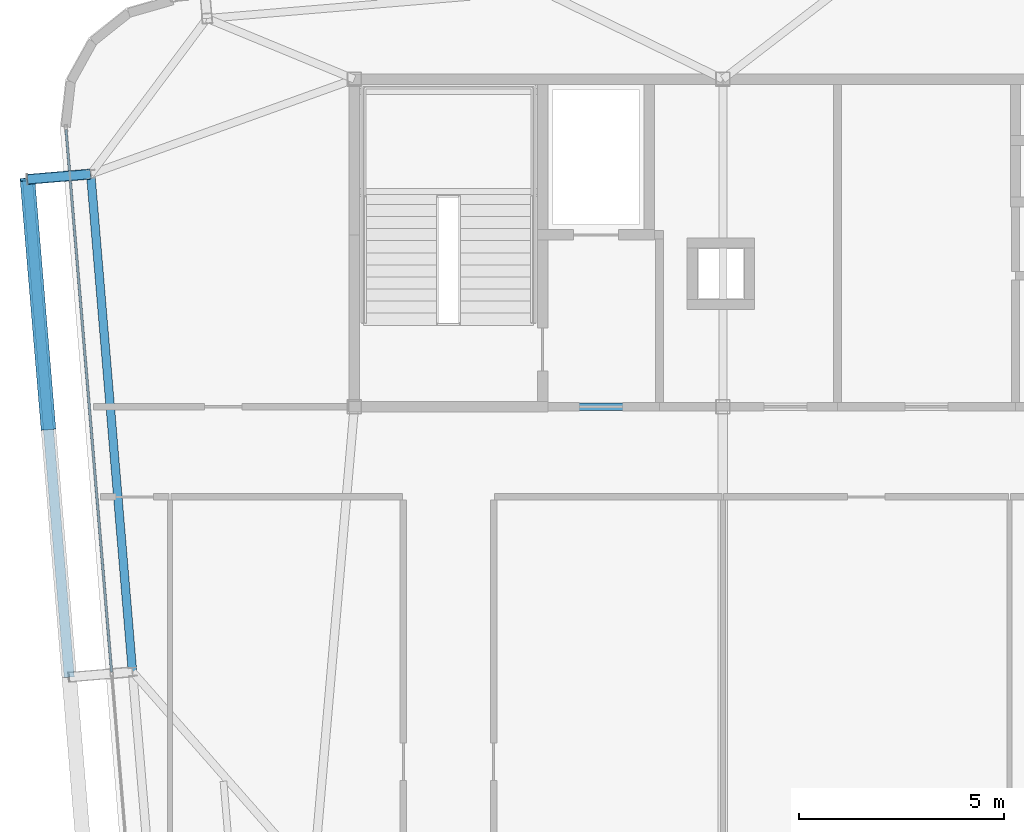
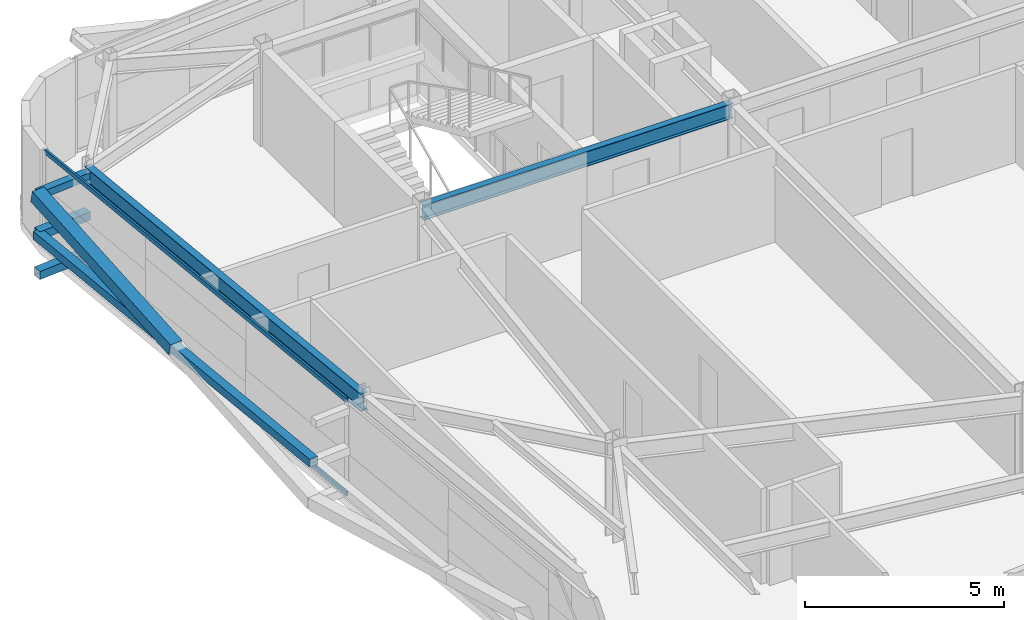
# One storey, part 13 of 39: 7 members, 2 beams, 1 element without a shape of its own.
"""IFC4 building model written with IfcOpenShell, lengths in metres."""

from ifc_helpers import new_model, si_unit, direction, frame, origin, origin_2d, place, context, subcontext, project, spatial, hollow_rectangle, i_section, extrude, source, transform, mapped, material, layer, layer_set, material_profile, profile_set, type_object, element, aggregate, save


model = new_model("IFC4")

# Units and contexts
model_context = context("Model", 3, precision=1e-05, world=origin(), true_north=direction((0.0, 1.0)))
body_context = subcontext(model_context, "Body", "Model", "MODEL_VIEW")
ifc_project = project(units=[si_unit("LENGTHUNIT", "METRE"), si_unit("AREAUNIT", "SQUARE_METRE"), si_unit("VOLUMEUNIT", "CUBIC_METRE"), si_unit("PLANEANGLEUNIT", "RADIAN"), si_unit("MASSUNIT", "GRAM", prefix="KILO")], contexts=[model_context])

# Site, building, storey
site_placement = place(None, origin())
site = spatial("IfcSite", under=ifc_project, at=site_placement, CompositionType="ELEMENT")
building_placement = place(site_placement, origin())
building = spatial("IfcBuilding", under=site, at=building_placement, Name="Taldren Reach Tower", CompositionType="ELEMENT")
storey_placement = place(building_placement, frame((0.0, 0.0, 175.699951171875)))
storey = spatial("IfcBuildingStorey", under=building, at=storey_placement, Name="L53", CompositionType="ELEMENT", Elevation=175.699951171875)

# Beams
ifc_material_1 = material(Name="Steel Gr 350 (350PLUS)", Category="steel")
ifc_material_profile_1 = material_profile(ifc_material_1, i_section(OverallWidth=0.19091796875, OverallDepth=0.4599609375, WebThickness=0.010009765625, FlangeThickness=0.01611328125, at=origin_2d()), Name="460UB82.1")
ifc_profile_set_1 = profile_set([ifc_material_profile_1], Name="Steel Gr 350 (350PLUS)")
beam_type_1 = type_object("IfcBeamType", Name="BM-UB460A", PredefinedType="BEAM", material=ifc_profile_set_1)
shared_shape_1 = source(origin(), body_context, "Body", "SweptSolid", [
    extrude(i_section(OverallWidth=0.19091796875, OverallDepth=0.4599609375, WebThickness=0.010009765625, FlangeThickness=0.01611328125, at=origin_2d()), origin(), (0.0, 0.0, 1.0), 9.0),
])
beam_1_placement = place(storey_placement, frame((19.0, 24.0, 2.699951171875), z_axis=(1.0, 0.0, 0.0), x_axis=(0.0, 1.0, 0.0)))
element("IfcBeam", 1, at=beam_1_placement, inside=storey, type_object=beam_type_1, Name="Core-spine girder L53-SP01", PredefinedType="BEAM", context=body_context, shape_type="MappedRepresentation", body=[
    mapped(shared_shape_1, transform((0.0, 0.0, 0.0), scale=1.0)),
])
ifc_material_profile_2 = material_profile(ifc_material_1, i_section(OverallWidth=0.208984375, OverallDepth=0.528076171875, WebThickness=0.009521484375, FlangeThickness=0.01318359375, at=origin_2d()), Name="530UB82.0")
ifc_profile_set_2 = profile_set([ifc_material_profile_2], Name="Steel Gr 350 (350PLUS)")
beam_type_2 = type_object("IfcBeamType", Name="SP-UB530B", PredefinedType="SPANDREL", material=ifc_profile_set_2)
shared_shape_2 = source(origin(), body_context, "Body", "SweptSolid", [
    extrude(i_section(OverallWidth=0.208984375, OverallDepth=0.528076171875, WebThickness=0.009521484375, FlangeThickness=0.01318359375, at=origin_2d()), origin(), (0.0, 0.0, 1.0), 12.199951171875),
])
beam_2_placement = place(storey_placement, frame((12.56201171875, 29.682373046875, 2.666015625), z_axis=(0.083668166953, -0.99649367175, 0.0), x_axis=(0.99649367175, 0.083668166953, 0.0)))
element("IfcBeam", 2, at=beam_2_placement, inside=storey, type_object=beam_type_2, Name="Perimeter spandrel B4 W3-W2 L53", PredefinedType="SPANDREL", context=body_context, shape_type="MappedRepresentation", body=[
    mapped(shared_shape_2, transform((0.0, 0.0, 0.0), scale=1.0)),
])

# Members
ifc_material_2 = material(Name="Steel Gr 450 (C450L0)", Category="steel")
ifc_material_profile_3 = material_profile(ifc_material_2, hollow_rectangle(XDim=0.219970703125, YDim=0.219970703125, WallThickness=0.00830078125, at=origin_2d()), Name="220x220x8.2SHS")
ifc_profile_set_3 = profile_set([ifc_material_profile_3], Name="Steel Gr 450 (C450L0)")
member_type_1 = type_object("IfcMemberType", Name="MB-TIE219", PredefinedType="STRUT", material=ifc_profile_set_3)
shared_shape_3 = source(origin(), body_context, "Body", "SweptSolid", [
    extrude(hollow_rectangle(XDim=0.219970703125, YDim=0.219970703125, WallThickness=0.00830078125, at=origin_2d()), origin(), (0.0, 0.0, 1.0), 1.54541015625),
])
member_1_placement = place(storey_placement, frame((12.557373046875, 29.68212890625, 2.650146484375), z_axis=(-0.99648887425, -0.083725285883, 0.0), x_axis=(0.083725285883, -0.99648887425, 0.0)))
element("IfcMember", 3, at=member_1_placement, inside=storey, type_object=member_type_1, Name="Exoskeleton diaphragm tie strut B4-W3 L53", PredefinedType="STRUT", context=body_context, shape_type="MappedRepresentation", body=[
    mapped(shared_shape_3, transform((0.0, 0.0, 0.0), scale=1.0)),
])
ifc_material_3 = material(Name="Steel Gr 350 (C350L0)", Category="steel")
ifc_material_profile_4 = material_profile(ifc_material_3, hollow_rectangle(XDim=0.25, YDim=0.25, WallThickness=0.010009765625, at=origin_2d()), Name="250x250x10.0SHS")
ifc_profile_set_4 = profile_set([ifc_material_profile_4], Name="Steel Gr 350 (C350L0)")
member_type_2 = type_object("IfcMemberType", Name="MB-POST250", PredefinedType="POST", material=ifc_profile_set_4)
shared_shape_4 = source(origin(), body_context, "Body", "SweptSolid", [
    extrude(hollow_rectangle(XDim=0.25, YDim=0.25, WallThickness=0.010009765625, at=origin_2d()), origin(), (0.0, 0.0, 1.0), 12.199951171875),
])
member_2_placement = place(storey_placement, frame((12.0380859375, 17.3955078125, 1.43505859375), z_axis=(-0.083668166953, 0.99649367175, 0.0), x_axis=(-0.99649367175, -0.083668166953, 0.0)))
element("IfcMember", 4, at=member_2_placement, inside=storey, type_object=member_type_2, Name="Exoskeleton mid-height ring chord B4-W2 L53", PredefinedType="POST", context=body_context, shape_type="MappedRepresentation", body=[
    mapped(shared_shape_4, transform((0.0, 0.0, 0.0), scale=1.0)),
])
shared_shape_5 = source(origin(), body_context, "Body", "SweptSolid", [
    extrude(hollow_rectangle(XDim=0.25, YDim=0.25, WallThickness=0.010009765625, at=origin_2d()), origin(), (0.0, 0.0, 1.0), 1.54541015625),
])
for number, where, z_axis, x_axis, name in (
    (5, (12.557373046875, 29.68212890625, 0.219970703125), (-0.99648887425, -0.083725285883, 0.0), (0.083725285883, -0.99648887425, 0.0), "Exoskeleton base diaphragm tie strut B4-W3 L53"),
    (6, (12.557373046875, 29.68212890625, 1.43505859375), (-0.99648887425, -0.083725285883, 0.0), (0.083725285883, -0.99648887425, 0.0), "Exoskeleton mid-tier diaphragm tie B4-W3 L53"),
):
    element("IfcMember", number, at=place(storey_placement, frame(where, z_axis=z_axis, x_axis=x_axis)), inside=storey, type_object=member_type_2, Name=name, PredefinedType="POST", context=body_context, shape_type="MappedRepresentation", body=[
        mapped(shared_shape_5, transform((0.0, 0.0, 0.0), scale=1.0)),
    ])
ifc_material_profile_5 = material_profile(ifc_material_2, hollow_rectangle(XDim=0.360107421875, YDim=0.360107421875, WallThickness=0.0126953125, at=origin_2d()), Name="360x360x12.7SHS")
ifc_profile_set_5 = profile_set([ifc_material_profile_5], Name="Steel Gr 450 (C450L0)")
member_type_3 = type_object("IfcMemberType", Name="MB-EXO356", PredefinedType="BRACE", material=ifc_profile_set_5)
shared_shape_6 = source(origin(), body_context, "Body", "SweptSolid", [
    extrude(hollow_rectangle(XDim=0.360107421875, YDim=0.360107421875, WallThickness=0.0126953125, at=origin_2d()), origin(), (0.0, 0.0, 1.0), 6.219970703125),
])
member_3_placement = place(storey_placement, frame((11.52783203125, 23.47412109375, 1.43505859375), z_axis=(-0.082075564879, 0.977291924611, 0.195356330179), x_axis=(-0.996492003099, -0.083688038336, 0.0)))
element("IfcMember", 7, at=member_3_placement, inside=storey, type_object=member_type_3, Name="Exoskeleton Diagrid Brace B4-W2 L53", PredefinedType="BRACE", context=body_context, shape_type="MappedRepresentation", body=[
    mapped(shared_shape_6, transform((0.0, 0.0, 0.0), scale=1.0)),
])

# Curtain wall, members
ifc_material_4 = material(Name="Aluminium and Low-E Glass Unitised System", Category="aluminium")
ifc_layer = layer(ifc_material_4, 0.159912109375)
ifc_layer_set = layer_set([ifc_layer], Name="Aluminium and Low-E Glass Unitised System")
curtain_wall_type = type_object("IfcCurtainWallType", Name="CW-SYS-5", PredefinedType="NOTDEFINED", material=ifc_layer_set)
curtain_wall_placement = place(storey_placement, origin())
curtain_wall = element("IfcCurtainWall", 8, at=curtain_wall_placement, inside=storey, type_object=curtain_wall_type, Name="Unitised curtain wall CW-L53-W", PredefinedType="NOTDEFINED")
ifc_material_5 = material(Name="Anodised Aluminium 6063-T6", Category="aluminium")
ifc_material_profile_6 = material_profile(ifc_material_5, hollow_rectangle(XDim=0.06005859375, YDim=0.135009765625, WallThickness=0.00341796875, at=origin_2d()), Name="ALU-135x60x3.5RHS")
ifc_profile_set_6 = profile_set([ifc_material_profile_6], Name="Anodised Aluminium 6063-T6")
member_type_4 = type_object("IfcMemberType", Name="CW-TRN-150", PredefinedType="USERDEFINED", material=ifc_profile_set_6)
shared_shape_7 = source(origin(), body_context, "Body", "SweptSolid", [
    extrude(hollow_rectangle(XDim=0.06005859375, YDim=0.135009765625, WallThickness=0.00341796875, at=origin_2d()), origin(), (0.0, 0.0, 1.0), 13.295166015625),
])
member_4_placement = place(storey_placement, frame((11.959228515625, 30.765869140625, 0.030029296875), z_axis=(0.083662465438, -0.996494150448, 0.0), x_axis=(0.996494150448, 0.083662465438, 0.0)))
member_4 = element("IfcMember", 9, at=member_4_placement, type_object=member_type_4, Name="CW-5 transom 1.1", ObjectType="TRANSOM", PredefinedType="USERDEFINED", context=body_context, shape_type="MappedRepresentation", body=[
    mapped(shared_shape_7, transform((0.0, 0.0, 0.0), scale=1.0)),
])
member_5_placement = place(storey_placement, frame((11.959228515625, 30.765869140625, 2.900146484375), z_axis=(0.083662465438, -0.996494150448, 0.0), x_axis=(0.996494150448, 0.083662465438, 0.0)))
member_5 = element("IfcMember", 10, at=member_5_placement, type_object=member_type_4, Name="CW-5 transom 1.2", ObjectType="TRANSOM", PredefinedType="USERDEFINED", context=body_context, shape_type="MappedRepresentation", body=[
    mapped(shared_shape_7, transform((0.0, 0.0, 0.0), scale=1.0)),
])
aggregate(curtain_wall, [member_4, member_5])

save(model, "model.ifc")
